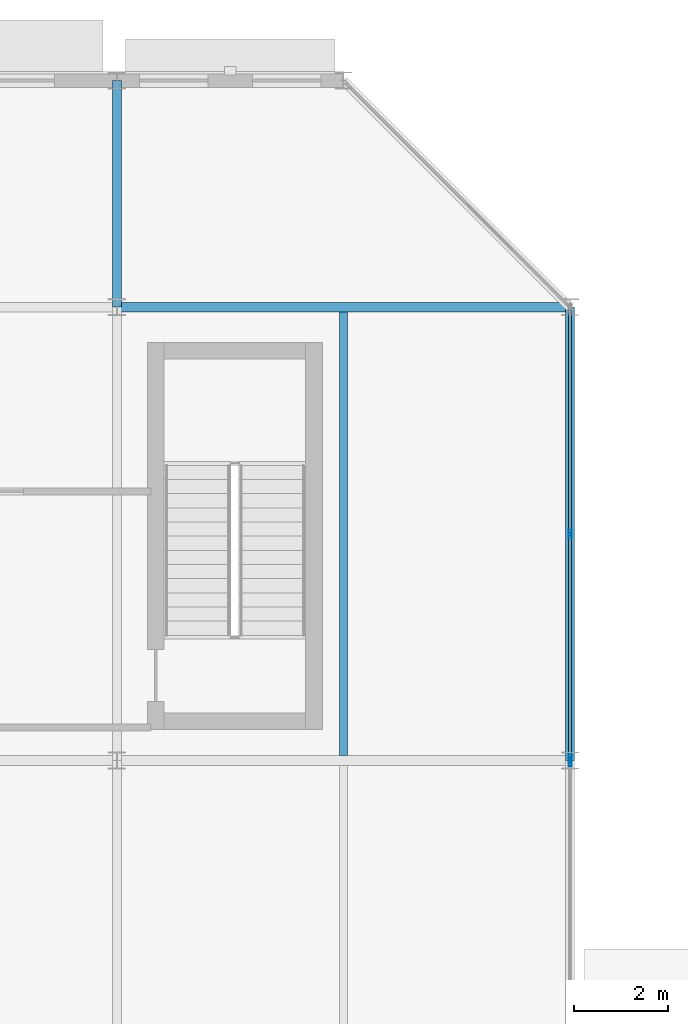
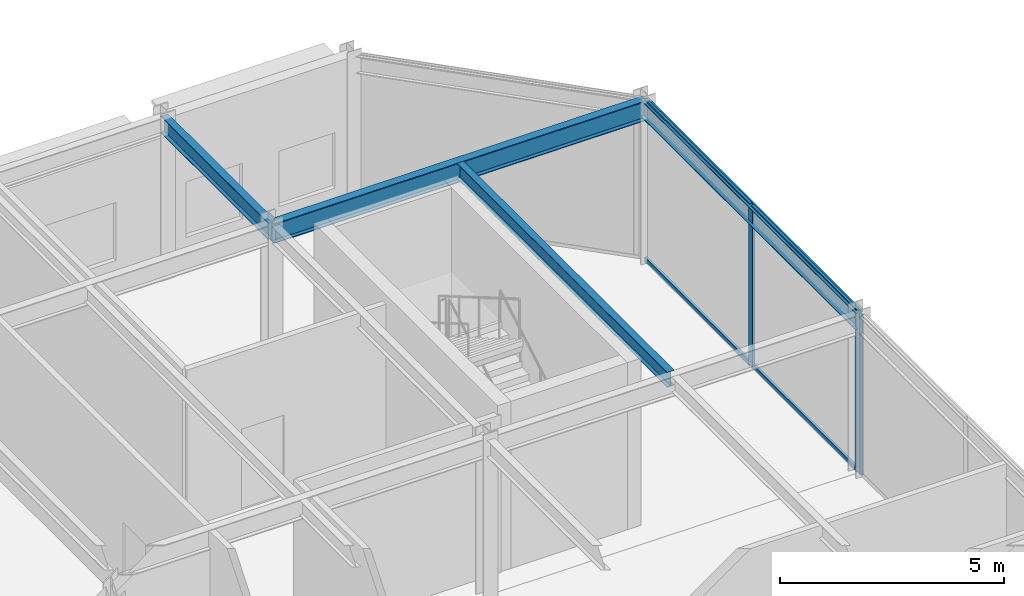
# One storey, part 62 of 133: 7 members, 4 beams, 2 elements without a shape of their own.
"""IFC4 building model written with IfcOpenShell, lengths in metres."""

from ifc_helpers import new_model, si_unit, direction, frame, origin, origin_2d, place, context, subcontext, project, spatial, hollow_rectangle, i_section, extrude, material, material_profile, profile_set, type_object, element, aggregate, save


model = new_model("IFC4")

# Units and contexts
model_context = context("Model", 3, precision=1e-05, world=origin(), true_north=direction((0.0, 1.0)))
body_context = subcontext(model_context, "Body", "Model", "MODEL_VIEW")
ifc_project = project(units=[si_unit("LENGTHUNIT", "METRE"), si_unit("AREAUNIT", "SQUARE_METRE"), si_unit("VOLUMEUNIT", "CUBIC_METRE"), si_unit("PLANEANGLEUNIT", "RADIAN"), si_unit("MASSUNIT", "GRAM", prefix="KILO")], contexts=[model_context])

# Site, building, storey
site_placement = place(None, origin())
site = spatial("IfcSite", under=ifc_project, at=site_placement, CompositionType="ELEMENT")
building_placement = place(site_placement, origin())
building = spatial("IfcBuilding", under=site, at=building_placement, Name="Almandine Court Research Institute", CompositionType="ELEMENT")
storey_placement = place(building_placement, frame((0.0, 0.0, 9.800048828125)))
storey = spatial("IfcBuildingStorey", under=building, at=storey_placement, Name="L02", CompositionType="ELEMENT", Elevation=9.800048828125)

# Beams
ifc_material_1 = material(Name="Steel ASTM A992 Grade 50", Category="steel")
ifc_material_profile_1 = material_profile(ifc_material_1, i_section(OverallWidth=0.18994140625, OverallDepth=0.45703125, WebThickness=0.009033203125, FlangeThickness=0.014892578125, at=origin_2d()), Name="W460x74")
ifc_profile_set_1 = profile_set([ifc_material_profile_1], Name="Steel ASTM A992 Grade 50")
beam_type_1 = type_object("IfcBeamType", Name="Beam-B-01", PredefinedType="BEAM", material=ifc_profile_set_1)
beam_1_placement = place(storey_placement, frame((25.199951171875, 112.800048828125, 4.140869140625), z_axis=(0.0, 1.0, 0.0), x_axis=(-1.0, 0.0, 0.0)))
element("IfcBeam", 1, at=beam_1_placement, inside=storey, type_object=beam_type_1, Name="L02 V3 Primary Y Girder", PredefinedType="BEAM", context=body_context, shape_type="SweptSolid", body=[
    extrude(i_section(OverallWidth=0.18994140625, OverallDepth=0.45703125, WebThickness=0.009033203125, FlangeThickness=0.014892578125, at=origin_2d()), origin(), (0.0, 0.0, 1.0), 4.800048828125),
])
ifc_material_profile_2 = material_profile(ifc_material_1, i_section(OverallWidth=0.178955078125, OverallDepth=0.409912109375, WebThickness=0.009033203125, FlangeThickness=0.013916015625, at=origin_2d()), Name="W410x67")
ifc_profile_set_2 = profile_set([ifc_material_profile_2], Name="Steel ASTM A992 Grade 50")
beam_type_2 = type_object("IfcBeamType", Name="Beam-B-02", PredefinedType="JOIST", material=ifc_profile_set_2)
beam_2_placement = place(storey_placement, frame((30.0, 103.302978515625, 4.1650390625), z_axis=(0.0, 1.0, 0.0), x_axis=(-1.0, 0.0, 0.0)))
element("IfcBeam", 2, at=beam_2_placement, inside=storey, type_object=beam_type_2, Name="L02 V3 Composite Secondary Beam", PredefinedType="JOIST", context=body_context, shape_type="SweptSolid", body=[
    extrude(i_section(OverallWidth=0.178955078125, OverallDepth=0.409912109375, WebThickness=0.009033203125, FlangeThickness=0.013916015625, at=origin_2d()), origin(), (0.0, 0.0, 1.0), 9.39404296875),
])
ifc_material_profile_3 = material_profile(ifc_material_1, i_section(OverallWidth=0.2109375, OverallDepth=0.5390625, WebThickness=0.011962890625, FlangeThickness=0.01904296875, at=origin_2d()), Name="W530x109")
ifc_profile_set_3 = profile_set([ifc_material_profile_3], Name="Steel ASTM A992 Grade 50")
beam_type_3 = type_object("IfcBeamType", Name="Beam-G-04", PredefinedType="BEAM", material=ifc_profile_set_3)
beam_3_placement = place(storey_placement, frame((25.199951171875, 112.800048828125, 4.099853515625), z_axis=(1.0, 0.0, 0.0), x_axis=(0.0, 1.0, 0.0)))
element("IfcBeam", 3, at=beam_3_placement, inside=storey, type_object=beam_type_3, Name="L02 V3 Primary X Girder", PredefinedType="BEAM", context=body_context, shape_type="SweptSolid", body=[
    extrude(i_section(OverallWidth=0.2109375, OverallDepth=0.5390625, WebThickness=0.011962890625, FlangeThickness=0.01904296875, at=origin_2d()), origin(), (0.0, 0.0, 1.0), 9.60009765625),
])
ifc_material_profile_4 = material_profile(ifc_material_1, i_section(OverallWidth=0.193115234375, OverallDepth=0.466064453125, WebThickness=0.010986328125, FlangeThickness=0.01904296875, at=origin_2d()), Name="W460x97")
ifc_profile_set_4 = profile_set([ifc_material_profile_4], Name="Steel ASTM A992 Grade 50")
beam_type_4 = type_object("IfcBeamType", Name="Beam-G-06-E", PredefinedType="SPANDREL", material=ifc_profile_set_4)
beam_4_placement = place(storey_placement, frame((34.800048828125, 103.199951171875, 4.136962890625), z_axis=(0.0, 1.0, 0.0), x_axis=(-1.0, 0.0, 0.0)))
element("IfcBeam", 4, at=beam_4_placement, inside=storey, type_object=beam_type_4, Name="L02 V3 Primary Y Girder", PredefinedType="SPANDREL", context=body_context, shape_type="SweptSolid", body=[
    extrude(i_section(OverallWidth=0.193115234375, OverallDepth=0.466064453125, WebThickness=0.010986328125, FlangeThickness=0.01904296875, at=origin_2d()), origin(), (0.0, 0.0, 1.0), 9.60009765625),
])

# Curtain wall, member
ifc_material_2 = material(Name="Unitised Curtain Wall Framing and Solar Glazing", Category="glass")
curtain_wall_type = type_object("IfcCurtainWallType", Name="CW-CWJ-02", PredefinedType="USERDEFINED", material=ifc_material_2)
curtain_wall_1_placement = place(storey_placement, origin())
curtain_wall_1 = element("IfcCurtainWall", 5, at=curtain_wall_1_placement, inside=storey, type_object=curtain_wall_type, Name="L02 Cleanroom East Courtyard Jali Screen 2", ObjectType="SOLAR JALI SCREEN", PredefinedType="USERDEFINED")
ifc_material_3 = material(Name="Anodised Aluminium AW-6063-T6", Category="aluminium")
ifc_material_profile_5 = material_profile(ifc_material_3, hollow_rectangle(XDim=0.06494140625, YDim=0.179931640625, WallThickness=0.00390625, at=origin_2d()), Name="ALU RHS 65x180x4")
ifc_profile_set_5 = profile_set([ifc_material_profile_5], Name="Anodised Aluminium AW-6063-T6")
member_type_1 = type_object("IfcMemberType", Name="CWMul-65x180", PredefinedType="MULLION", material=ifc_profile_set_5)
member_1_placement = place(storey_placement, frame((34.800048828125, 103.16357421875, 0.0), z_axis=(0.0, 0.0, 1.0), x_axis=(1.0, 0.0, 0.0)))
member_1 = element("IfcMember", 6, at=member_1_placement, type_object=member_type_1, Name="CWJ-02 mullion 1", PredefinedType="MULLION", context=body_context, shape_type="SweptSolid", body=[
    extrude(hollow_rectangle(XDim=0.06494140625, YDim=0.179931640625, WallThickness=0.00390625, at=origin_2d()), origin(), (0.0, 0.0, 1.0), 4.369873046875),
])
aggregate(curtain_wall_1, [member_1])

# Curtain wall, members
curtain_wall_2_placement = place(storey_placement, origin())
curtain_wall_2 = element("IfcCurtainWall", 7, at=curtain_wall_2_placement, inside=storey, type_object=curtain_wall_type, Name="L02 Cleanroom East Courtyard Jali Screen 3", ObjectType="SOLAR JALI SCREEN", PredefinedType="USERDEFINED")
member_2_placement = place(storey_placement, frame((34.800048828125, 108.0, 0.0), z_axis=(0.0, 0.0, 1.0), x_axis=(1.0, 0.0, 0.0)))
member_2 = element("IfcMember", 8, at=member_2_placement, type_object=member_type_1, Name="CWJ-02 mullion 2", PredefinedType="MULLION", context=body_context, shape_type="SweptSolid", body=[
    extrude(hollow_rectangle(XDim=0.06494140625, YDim=0.179931640625, WallThickness=0.00390625, at=origin_2d()), origin(), (0.0, 0.0, 1.0), 4.369873046875),
])
member_3_placement = place(storey_placement, frame((34.800048828125, 103.236572265625, 0.0), z_axis=(0.0, 0.0, 1.0), x_axis=(1.0, 0.0, 0.0)))
member_3 = element("IfcMember", 9, at=member_3_placement, type_object=member_type_1, Name="CWJ-02 mullion 3", PredefinedType="MULLION", context=body_context, shape_type="SweptSolid", body=[
    extrude(hollow_rectangle(XDim=0.06494140625, YDim=0.179931640625, WallThickness=0.00390625, at=origin_2d()), origin(), (0.0, 0.0, 1.0), 4.369873046875),
])
ifc_material_profile_6 = material_profile(ifc_material_3, hollow_rectangle(XDim=0.06494140625, YDim=0.1298828125, WallThickness=0.00390625, at=origin_2d()), Name="ALU RHS 65x130x4")
ifc_profile_set_6 = profile_set([ifc_material_profile_6], Name="Anodised Aluminium AW-6063-T6")
member_type_2 = type_object("IfcMemberType", Name="CWTrn-65x130", PredefinedType="NOTDEFINED", material=ifc_profile_set_6)
member_4_placement = place(storey_placement, frame((34.800048828125, 112.73095703125, 0.032470703125), z_axis=(0.0, -1.0, 0.0), x_axis=(1.0, 0.0, 0.0)))
member_4 = element("IfcMember", 10, at=member_4_placement, type_object=member_type_2, Name="CWJ-02 transom 1.1", ObjectType="TRANSOM", PredefinedType="USERDEFINED", context=body_context, shape_type="SweptSolid", body=[
    extrude(hollow_rectangle(XDim=0.06494140625, YDim=0.1298828125, WallThickness=0.00390625, at=origin_2d()), origin(), (0.0, 0.0, 1.0), 4.698486328125),
])
member_5_placement = place(storey_placement, frame((34.800048828125, 112.73095703125, 4.33740234375), z_axis=(0.0, -1.0, 0.0), x_axis=(1.0, 0.0, 0.0)))
member_5 = element("IfcMember", 11, at=member_5_placement, type_object=member_type_2, Name="CWJ-02 transom 1.2", ObjectType="TRANSOM", PredefinedType="USERDEFINED", context=body_context, shape_type="SweptSolid", body=[
    extrude(hollow_rectangle(XDim=0.06494140625, YDim=0.1298828125, WallThickness=0.00390625, at=origin_2d()), origin(), (0.0, 0.0, 1.0), 4.698486328125),
])
member_6_placement = place(storey_placement, frame((34.800048828125, 107.967529296875, 0.032470703125), z_axis=(0.0, -1.0, 0.0), x_axis=(1.0, 0.0, 0.0)))
member_6 = element("IfcMember", 12, at=member_6_placement, type_object=member_type_2, Name="CWJ-02 transom 2.1", ObjectType="TRANSOM", PredefinedType="USERDEFINED", context=body_context, shape_type="SweptSolid", body=[
    extrude(hollow_rectangle(XDim=0.06494140625, YDim=0.1298828125, WallThickness=0.00390625, at=origin_2d()), origin(), (0.0, 0.0, 1.0), 4.698486328125),
])
member_7_placement = place(storey_placement, frame((34.800048828125, 107.967529296875, 4.33740234375), z_axis=(0.0, -1.0, 0.0), x_axis=(1.0, 0.0, 0.0)))
member_7 = element("IfcMember", 13, at=member_7_placement, type_object=member_type_2, Name="CWJ-02 transom 2.2", ObjectType="TRANSOM", PredefinedType="USERDEFINED", context=body_context, shape_type="SweptSolid", body=[
    extrude(hollow_rectangle(XDim=0.06494140625, YDim=0.1298828125, WallThickness=0.00390625, at=origin_2d()), origin(), (0.0, 0.0, 1.0), 4.698486328125),
])
aggregate(curtain_wall_2, [member_2, member_3, member_4, member_5, member_6, member_7])

save(model, "model.ifc")
